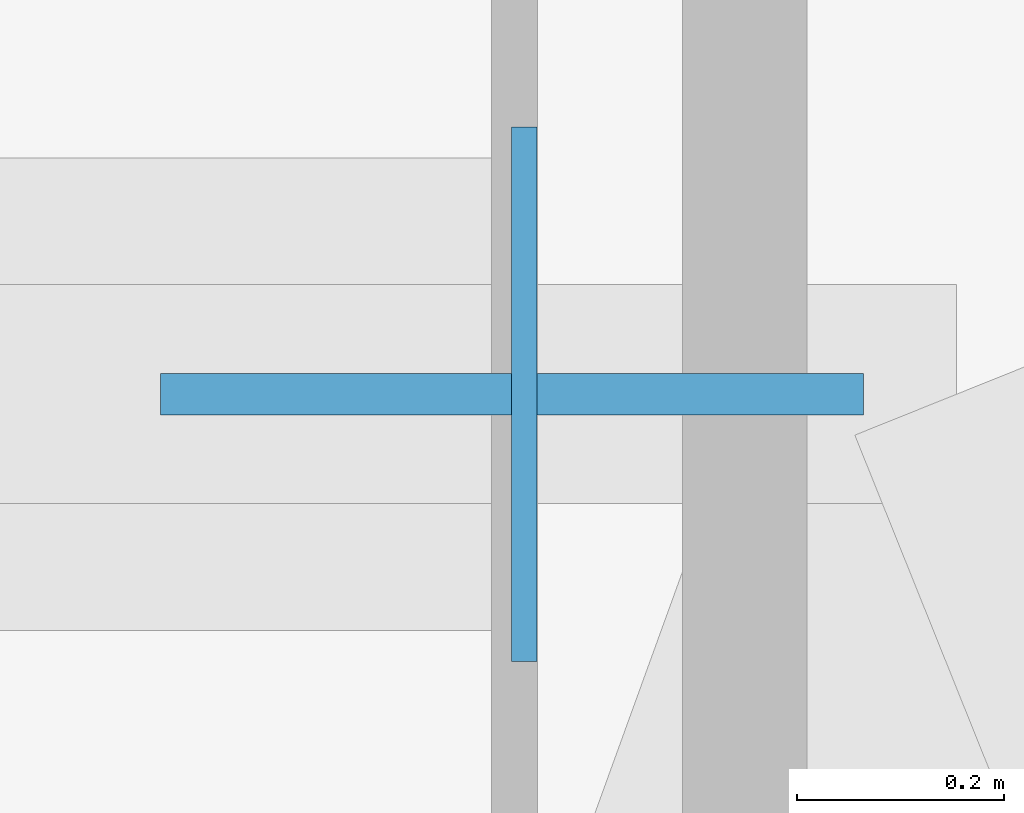
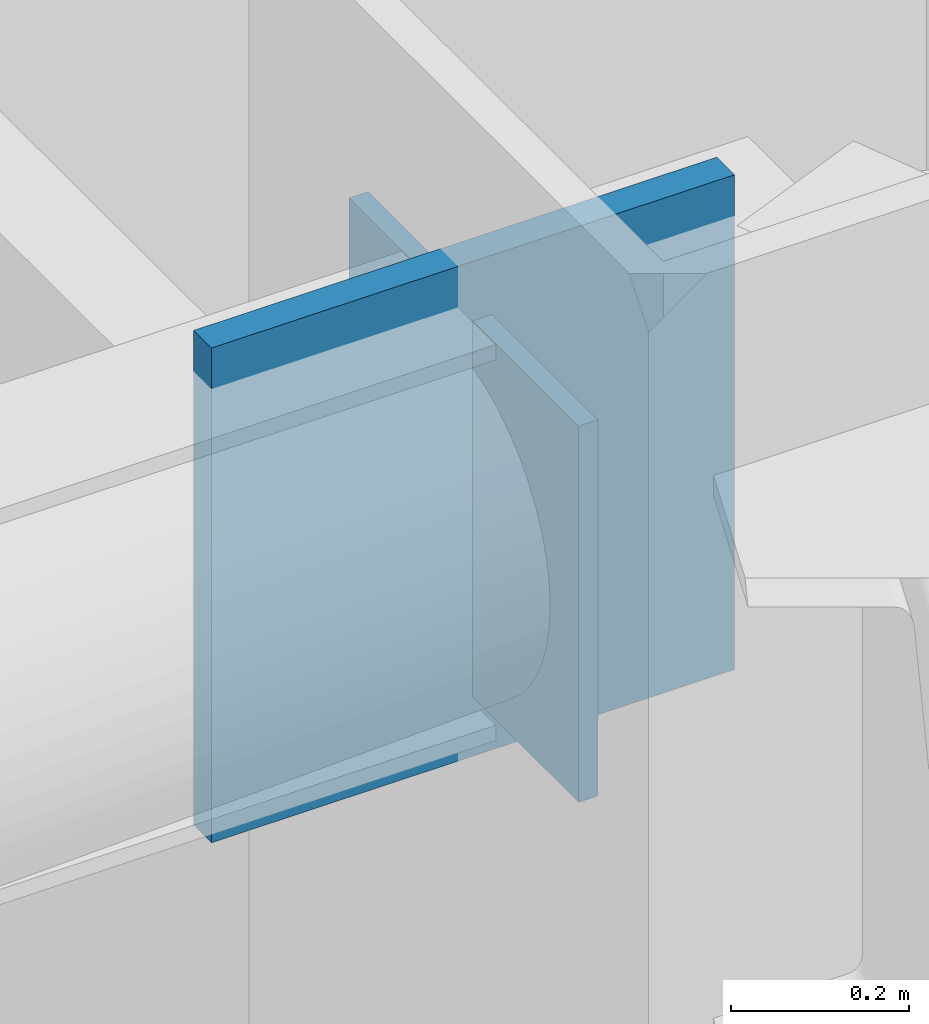
# One storey, part 10 of 17: 2 plates.
"""IFC4 building model written with IfcOpenShell, lengths in metres."""

from ifc_helpers import new_model, si_unit, direction, frame, origin, origin_2d, place, context, subcontext, project, spatial, rectangle, extrude, material, layer, layer_set, type_object, element, save


model = new_model("IFC4")

# Units and contexts
model_context = context("Model", 3, precision=1e-05, world=origin(), true_north=direction((0.0, 1.0)))
body_context = subcontext(model_context, "Body", "Model", "MODEL_VIEW")
ifc_project = project(units=[si_unit("LENGTHUNIT", "METRE"), si_unit("AREAUNIT", "SQUARE_METRE"), si_unit("VOLUMEUNIT", "CUBIC_METRE"), si_unit("PLANEANGLEUNIT", "RADIAN"), si_unit("MASSUNIT", "GRAM", prefix="KILO")], contexts=[model_context])

# Site, building, storey
site_placement = place(None, origin())
site = spatial("IfcSite", under=ifc_project, at=site_placement, CompositionType="ELEMENT")
building_placement = place(site_placement, origin())
building = spatial("IfcBuilding", under=site, at=building_placement, Name="Khamvora Tower", CompositionType="ELEMENT")
storey_placement = place(building_placement, frame((0.0, 0.0, 142.050048828125)))
storey = spatial("IfcBuildingStorey", under=building, at=storey_placement, Name="L36", CompositionType="ELEMENT", Elevation=142.050048828125)

# Plates
ifc_material_1 = material(Name="Steel S355", Category="steel")
ifc_layer_1 = layer(ifc_material_1, 0.02490234375)
ifc_layer_set_1 = layer_set([ifc_layer_1], Name="Steel S355")
plate_type_1 = type_object("IfcPlateType", Name="PL-CAP-25", PredefinedType="SHEET", material=ifc_layer_set_1)
plate_1_placement = place(storey_placement, frame((49.531982421875, 47.300048828125, 2.826416015625), z_axis=(0.0, 0.0, 1.0), x_axis=(1.0, 0.0, 0.0)))
element("IfcPlate", 1, at=plate_1_placement, inside=storey, type_object=plate_type_1, Name="L36 hollow section steel end cap plate 0791", PredefinedType="SHEET", context=body_context, shape_type="SweptSolid", body=[
    extrude(rectangle(XDim=0.02490234375, YDim=0.51708984375, at=origin_2d()), origin(), (0.0, 0.0, 1.0), 0.51708984375),
])
ifc_material_2 = material(Name="Steel S460", Category="steel")
ifc_layer_2 = layer(ifc_material_2, 0.0400390625)
ifc_layer_set_2 = layer_set([ifc_layer_2], Name="Steel S460")
plate_type_2 = type_object("IfcPlateType", Name="PLT-GUS-40", PredefinedType="SHEET", material=ifc_layer_set_2)
plate_2_placement = place(storey_placement, frame((49.52001953125, 47.300048828125, 2.7451171875), z_axis=(0.0, 0.0, 1.0), x_axis=(1.0, 0.0, 0.0)))
element("IfcPlate", 2, at=plate_2_placement, inside=storey, type_object=plate_type_2, Name="L36 brace connection node gusset plate 0224", PredefinedType="SHEET", context=body_context, shape_type="SweptSolid", body=[
    extrude(rectangle(XDim=0.679931640625, YDim=0.0400390625, at=origin_2d()), origin(), (0.0, 0.0, 1.0), 0.679931640625),
])

save(model, "model.ifc")
